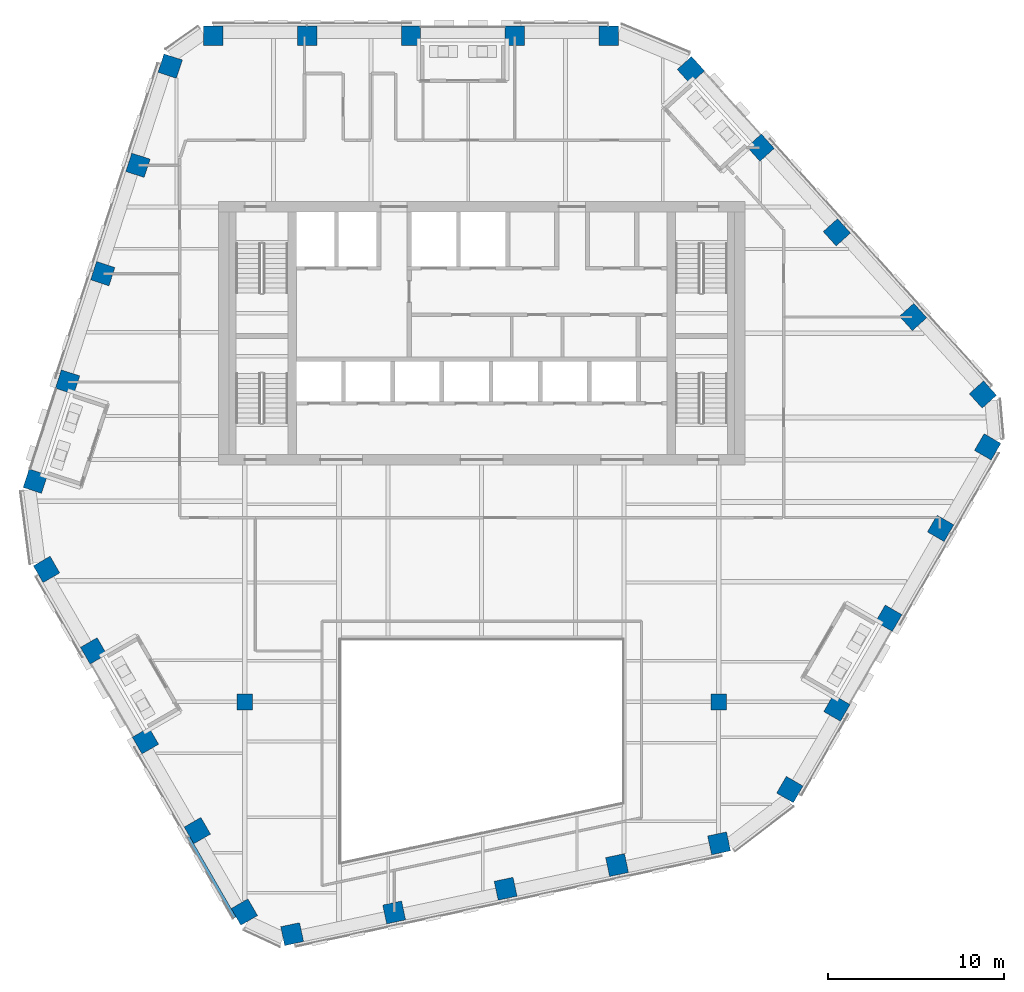
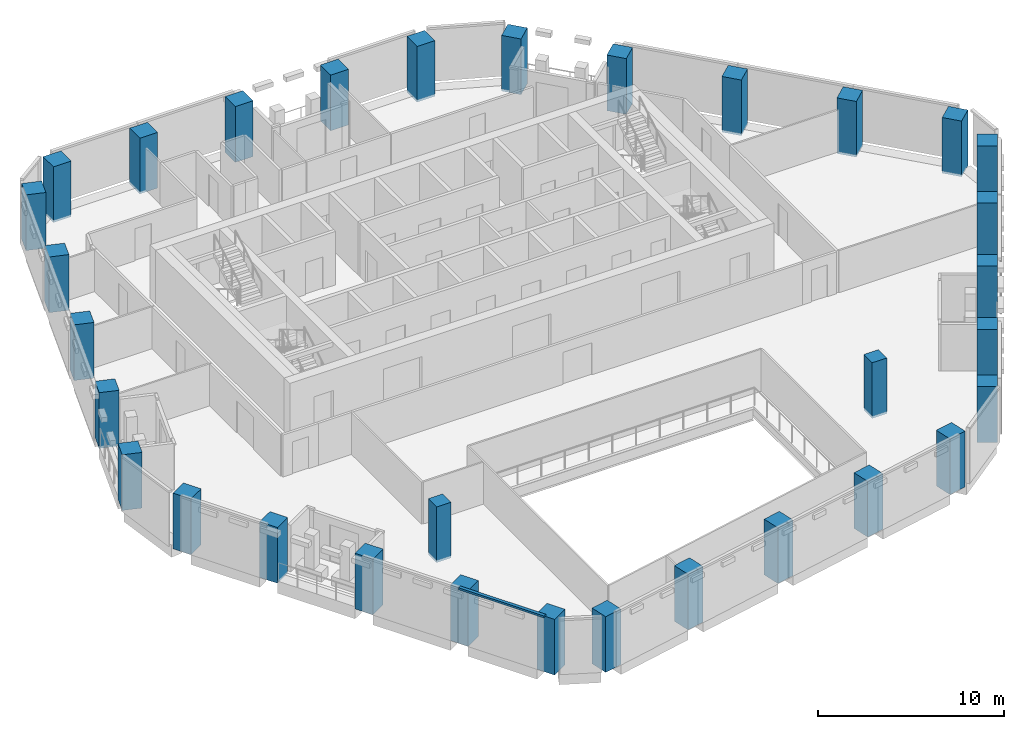
# One storey, part 1 of 24: 32 columns, 1 member, 1 element without a shape of its own.
"""IFC4 building model written with IfcOpenShell, lengths in metres."""

from ifc_helpers import new_model, si_unit, direction, frame, origin, origin_2d, place, context, subcontext, project, spatial, rectangle, extrude, material, layer, layer_set, material_profile, profile_set, type_object, element, aggregate, save


model = new_model("IFC4")

# Units and contexts
model_context = context("Model", 3, precision=1e-05, world=origin(), true_north=direction((0.0, 1.0)))
body_context = subcontext(model_context, "Body", "Model", "MODEL_VIEW")
ifc_project = project(units=[si_unit("LENGTHUNIT", "METRE"), si_unit("AREAUNIT", "SQUARE_METRE"), si_unit("VOLUMEUNIT", "CUBIC_METRE"), si_unit("PLANEANGLEUNIT", "RADIAN"), si_unit("MASSUNIT", "GRAM", prefix="KILO")], contexts=[model_context])

# Site, building, storey
site_placement = place(None, origin())
site = spatial("IfcSite", under=ifc_project, at=site_placement, CompositionType="ELEMENT")
building_placement = place(site_placement, origin())
building = spatial("IfcBuilding", under=site, at=building_placement, Name="Isthmus Gate Tower", CompositionType="ELEMENT")
storey_placement = place(building_placement, frame((0.0, 0.0, 234.550048828125)))
storey = spatial("IfcBuildingStorey", under=building, at=storey_placement, Name="L59", CompositionType="ELEMENT", Elevation=234.550048828125)

# Columns
ifc_material_1 = material(Name="Concrete f'c 50 MPa", Category="concrete")
ifc_material_profile_1 = material_profile(ifc_material_1, rectangle(XDim=0.89990234375, YDim=0.89990234375, at=origin_2d()), Name="RC 900X900")
ifc_profile_set_1 = profile_set([ifc_material_profile_1], Name="Concrete f'c 50 MPa")
column_type_1 = type_object("IfcColumnType", Name="RC INTERIOR COLUMN 900 X 900", PredefinedType="COLUMN", material=ifc_profile_set_1)
for number, where, z_axis, x_axis, name in (
    (1, (-13.5, -13.5, -0.150146484375), (0.0, 0.0, 1.0), (1.0, 0.0, 0.0), "str-icol-L59-ICB2"),
    (2, (13.5, -13.5, -0.150146484375), (0.0, 0.0, 1.0), (1.0, 0.0, 0.0), "str-icol-L59-ICD2"),
):
    element("IfcColumn", number, at=place(storey_placement, frame(where, z_axis=z_axis, x_axis=x_axis)), inside=storey, type_object=column_type_1, Name=name, PredefinedType="COLUMN", context=body_context, shape_type="SweptSolid", body=[
        extrude(rectangle(XDim=0.89990234375, YDim=0.89990234375, at=origin_2d()), origin(), (0.0, 0.0, 1.0), 3.650146484375),
    ])
ifc_material_2 = material(Name="Concrete f'c 50 MPa", Category="concrete")
ifc_material_profile_2 = material_profile(ifc_material_2, rectangle(XDim=1.10009765625, YDim=1.10009765625, at=origin_2d()), Name="RC 1100X1100")
ifc_profile_set_2 = profile_set([ifc_material_profile_2], Name="Concrete f'c 50 MPa")
column_type_2 = type_object("IfcColumnType", Name="RC TUBE COLUMN 1100 X 1100", PredefinedType="COLUMN", material=ifc_profile_set_2)
for number, where, z_axis, x_axis, name in (
    (3, (7.2412109375, 24.449951171875, -0.150146484375), (0.0, 0.0, 1.0), (-1.0, 0.0, 0.0), "str-tcol-L59-T3N0"),
    (4, (1.880615234375, 24.449951171875, -0.150146484375), (0.0, 0.0, 1.0), (-1.0, 0.0, 0.0), "str-tcol-L59-T3N1"),
    (5, (-4.030029296875, 24.449951171875, -0.150146484375), (0.0, 0.0, 1.0), (-1.0, 0.0, 0.0), "str-tcol-L59-T3N2"),
    (6, (-9.940673828125, 24.449951171875, -0.150146484375), (0.0, 0.0, 1.0), (-1.0, 0.0, 0.0), "str-tcol-L59-T3N3"),
    (7, (-15.30126953125, 24.449951171875, -0.150146484375), (0.0, 0.0, 1.0), (-1.0, 0.0, 0.0), "str-tcol-L59-T3N4"),
    (8, (-17.7509765625, 22.721923828125, -0.150146484375), (0.0, 0.0, 1.0), (-0.309016994375, -0.951056516295, 0.0), "str-tcol-L59-T3NW0"),
    (9, (-19.587158203125, 17.07080078125, -0.150146484375), (0.0, 0.0, 1.0), (-0.309016994375, -0.951056516295, 0.0), "str-tcol-L59-T3NW1"),
    (10, (-21.59326171875, 10.896728515625, -0.150146484375), (0.0, 0.0, 1.0), (-0.309016994375, -0.951056516295, 0.0), "str-tcol-L59-T3NW2"),
    (11, (-23.599365234375, 4.72265625, -0.150146484375), (0.0, 0.0, 1.0), (-0.309016994375, -0.951056516295, 0.0), "str-tcol-L59-T3NW3"),
    (12, (-25.435546875, -0.928466796875, -0.150146484375), (0.0, 0.0, 1.0), (-0.309016994375, -0.951056516295, 0.0), "str-tcol-L59-T3NW4"),
    (13, (-24.794921875, -5.9541015625, -0.150146484375), (0.0, 0.0, 1.0), (0.5, -0.866025403784, 0.0), "str-tcol-L59-T3SW0"),
    (14, (-22.114501953125, -10.596435546875, -0.150146484375), (0.0, 0.0, 1.0), (0.5, -0.866025403784, 0.0), "str-tcol-L59-T3SW1"),
    (15, (-19.1591796875, -15.715087890625, -0.150146484375), (0.0, 0.0, 1.0), (0.5, -0.866025403784, 0.0), "str-tcol-L59-T3SW2"),
    (16, (-16.2041015625, -20.833984375, -0.150146484375), (0.0, 0.0, 1.0), (0.5, -0.866025403784, 0.0), "str-tcol-L59-T3SW3"),
    (17, (-13.523681640625, -25.476318359375, -0.150146484375), (0.0, 0.0, 1.0), (0.5, -0.866025403784, 0.0), "str-tcol-L59-T3SW4"),
    (18, (-10.80224609375, -26.73388671875, -0.150146484375), (0.0, 0.0, 1.0), (0.978147600734, 0.207911690818, 0.0), "str-tcol-L59-T3S0"),
    (19, (-4.990234375, -25.498291015625, -0.150146484375), (0.0, 0.0, 1.0), (0.978147600734, 0.207911690818, 0.0), "str-tcol-L59-T3S1"),
    (20, (1.35986328125, -24.148681640625, -0.150146484375), (0.0, 0.0, 1.0), (0.978147600734, 0.207911690818, 0.0), "str-tcol-L59-T3S2"),
    (21, (7.7099609375, -22.798828125, -0.150146484375), (0.0, 0.0, 1.0), (0.978147600734, 0.207911690818, 0.0), "str-tcol-L59-T3S3"),
    (22, (13.52197265625, -21.5634765625, -0.150146484375), (0.0, 0.0, 1.0), (0.978147600734, 0.207911690818, 0.0), "str-tcol-L59-T3S4"),
    (23, (17.5537109375, -18.495849609375, -0.150146484375), (0.0, 0.0, 1.0), (0.5, 0.866025403784, 0.0), "str-tcol-L59-T3SE0"),
    (24, (20.234130859375, -13.853515625, -0.150146484375), (0.0, 0.0, 1.0), (0.5, 0.866025403784, 0.0), "str-tcol-L59-T3SE1"),
    (25, (23.189453125, -8.73486328125, -0.150146484375), (0.0, 0.0, 1.0), (0.5, 0.866025403784, 0.0), "str-tcol-L59-T3SE2"),
    (26, (26.144775390625, -3.6162109375, -0.150146484375), (0.0, 0.0, 1.0), (0.5, 0.866025403784, 0.0), "str-tcol-L59-T3SE3"),
    (27, (28.824951171875, 1.0263671875, -0.150146484375), (0.0, 0.0, 1.0), (0.5, 0.866025403784, 0.0), "str-tcol-L59-T3SE4"),
    (28, (28.55322265625, 4.011962890625, -0.150146484375), (0.0, 0.0, 1.0), (-0.669130606359, 0.743144825477, 0.0), "str-tcol-L59-T3NE0"),
    (29, (24.577392578125, 8.427490234375, -0.150146484375), (0.0, 0.0, 1.0), (-0.669130606359, 0.743144825477, 0.0), "str-tcol-L59-T3NE1"),
    (30, (20.2333984375, 13.251953125, -0.150146484375), (0.0, 0.0, 1.0), (-0.669130606359, 0.743144825477, 0.0), "str-tcol-L59-T3NE2"),
    (31, (15.8896484375, 18.076416015625, -0.150146484375), (0.0, 0.0, 1.0), (-0.669130606359, 0.743144825477, 0.0), "str-tcol-L59-T3NE3"),
    (32, (11.91357421875, 22.4921875, -0.150146484375), (0.0, 0.0, 1.0), (-0.669130606359, 0.743144825477, 0.0), "str-tcol-L59-T3NE4"),
):
    element("IfcColumn", number, at=place(storey_placement, frame(where, z_axis=z_axis, x_axis=x_axis)), inside=storey, type_object=column_type_2, Name=name, PredefinedType="COLUMN", context=body_context, shape_type="SweptSolid", body=[
        extrude(rectangle(XDim=1.10009765625, YDim=1.10009765625, at=origin_2d()), origin(), (0.0, 0.0, 1.0), 3.650146484375),
    ])

# Curtain wall, member
ifc_material_3 = material(Name="Aluminium, pale champagne anodised", Category="aluminium")
ifc_layer = layer(ifc_material_3, 0.199951171875)
ifc_layer_set = layer_set([ifc_layer], Name="CW-1 UNITISED CURTAIN WALL 200 DEEP")
curtain_wall_type = type_object("IfcCurtainWallType", Name="CW-1 UNITISED CURTAIN WALL 200 DEEP", PredefinedType="NOTDEFINED", material=ifc_layer_set)
curtain_wall_placement = place(storey_placement, origin())
curtain_wall = element("IfcCurtainWall", 33, at=curtain_wall_placement, inside=storey, type_object=curtain_wall_type, Name="CW-1 SW L59", PredefinedType="NOTDEFINED")
ifc_material_4 = material(Name="Aluminium, pale champagne anodised", Category="aluminium")
ifc_material_profile_3 = material_profile(ifc_material_4, rectangle(XDim=0.199951171875, YDim=0.1298828125, at=origin_2d()), Name="200x130")
ifc_profile_set_3 = profile_set([ifc_material_profile_3], Name="Aluminium, pale champagne anodised")
member_type = type_object("IfcMemberType", Name="CW-1 TRANSOM 200 X 130", PredefinedType="USERDEFINED", material=ifc_profile_set_3)
member_placement = place(storey_placement, frame((-16.73681640625, -21.2109375, 3.5849609375), z_axis=(0.499988262736, -0.866032180191, 0.0), x_axis=(0.866032180191, 0.499988262736, 0.0)))
member = element("IfcMember", 34, at=member_placement, type_object=member_type, Name="CW-1 transom", ObjectType="TRANSOM", PredefinedType="USERDEFINED", context=body_context, shape_type="SweptSolid", body=[
    extrude(rectangle(XDim=0.199951171875, YDim=0.1298828125, at=origin_2d()), origin(), (0.0, 0.0, 1.0), 5.300537109375),
])
aggregate(curtain_wall, [member])

save(model, "model.ifc")
